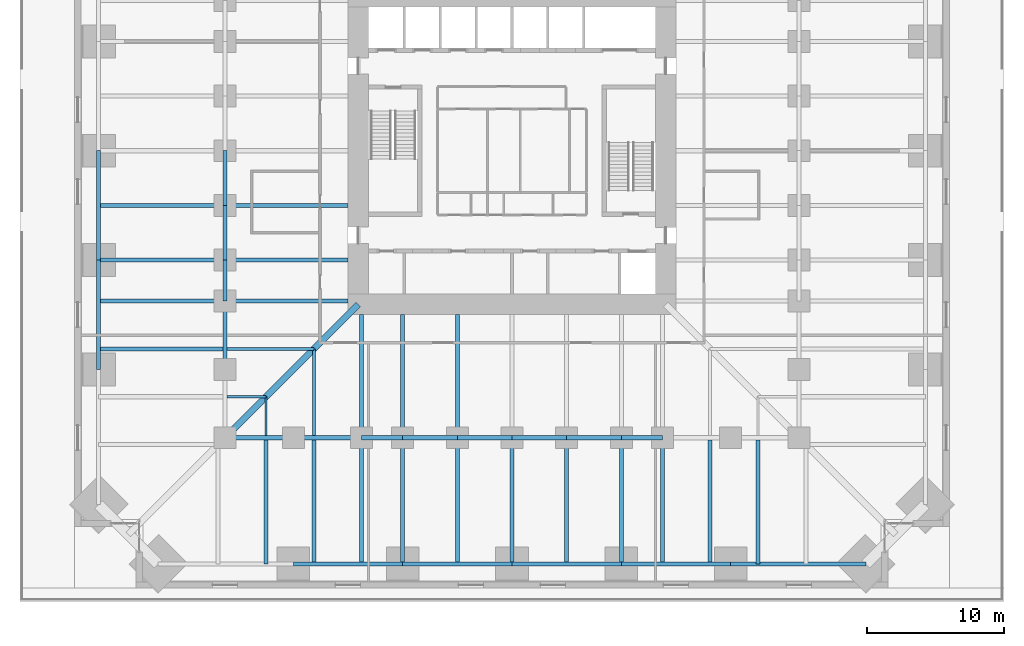
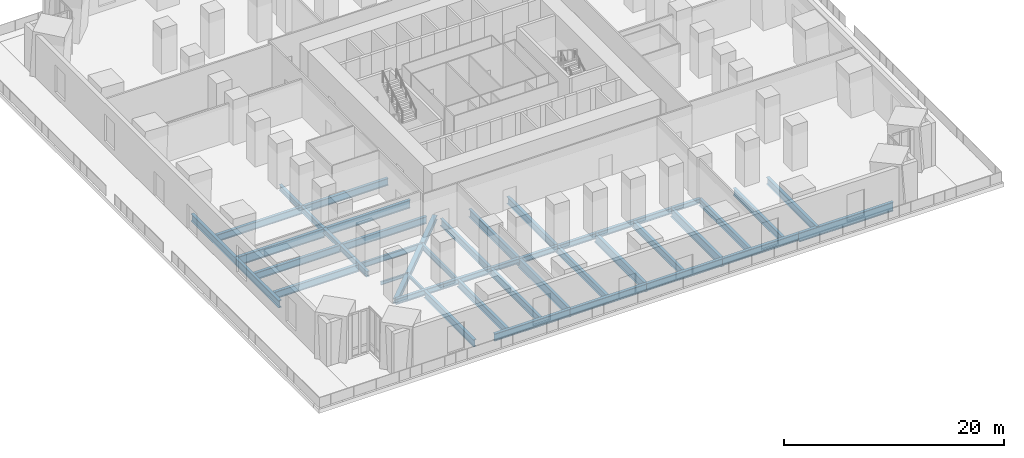
# One storey, part 3 of 26: 45 beams.
"""IFC4 building model written with IfcOpenShell, lengths in metres."""

from ifc_helpers import new_model, si_unit, direction, frame, origin, origin_2d, place, context, subcontext, project, spatial, i_section, extrude, material, material_profile, profile_set, type_object, element, save


model = new_model("IFC4")

# Units and contexts
model_context = context("Model", 3, precision=1e-05, world=origin(), true_north=direction((0.0, 1.0)))
body_context = subcontext(model_context, "Body", "Model", "MODEL_VIEW")
ifc_project = project(units=[si_unit("LENGTHUNIT", "METRE"), si_unit("AREAUNIT", "SQUARE_METRE"), si_unit("VOLUMEUNIT", "CUBIC_METRE"), si_unit("PLANEANGLEUNIT", "RADIAN"), si_unit("MASSUNIT", "GRAM", prefix="KILO")], contexts=[model_context])

# Site, building, storey
site_placement = place(None, origin())
site = spatial("IfcSite", under=ifc_project, at=site_placement, CompositionType="ELEMENT")
building_placement = place(site_placement, origin())
building = spatial("IfcBuilding", under=site, at=building_placement, Name="Peilmerk Tower", CompositionType="ELEMENT")
storey_placement = place(building_placement, frame((0.0, 0.0, 16.0)))
storey = spatial("IfcBuildingStorey", under=building, at=storey_placement, Name="L03", CompositionType="ELEMENT", Elevation=16.0)

# Beams
ifc_material_1 = material(Name="Steel S355", Category="steel")
ifc_material_profile_1 = material_profile(ifc_material_1, i_section(OverallWidth=0.219970703125, OverallDepth=0.60009765625, WebThickness=0.011962890625, FlangeThickness=0.01904296875, at=origin_2d()), Name="IPE 600")
ifc_profile_set_1 = profile_set([ifc_material_profile_1], Name="Steel S355")
beam_type_1 = type_object("IfcBeamType", Name="B10 IPE 600 floor beam", PredefinedType="BEAM", material=ifc_profile_set_1)
for number, where, z_axis, x_axis, name in (
    (1, (-14.5, -14.5, -0.5), (0.0, -1.0, 0.0), (1.0, 0.0, 0.0), "Floor beam L03"),
    (2, (-14.5, -14.5, -0.5), (-1.0, 0.0, 0.0), (0.0, -1.0, 0.0), "Floor beam L03"),
):
    element("IfcBeam", number, at=place(storey_placement, frame(where, z_axis=z_axis, x_axis=x_axis)), inside=storey, type_object=beam_type_1, Name=name, PredefinedType="BEAM", context=body_context, shape_type="SweptSolid", body=[
        extrude(i_section(OverallWidth=0.219970703125, OverallDepth=0.60009765625, WebThickness=0.011962890625, FlangeThickness=0.01904296875, at=origin_2d()), origin(), (0.0, 0.0, 1.0), 6.347412109375),
    ])
ifc_material_profile_2 = material_profile(ifc_material_1, i_section(OverallWidth=0.169921875, OverallDepth=0.360107421875, WebThickness=0.008056640625, FlangeThickness=0.0126953125, at=origin_2d()), Name="IPE 360")
ifc_profile_set_2 = profile_set([ifc_material_profile_2], Name="Steel S355")
beam_type_2 = type_object("IfcBeamType", Name="B11 IPE 360 floor beam", PredefinedType="BEAM", material=ifc_profile_set_2)
for number, where, z_axis, x_axis, name in (
    (3, (-18.0, -18.0, -0.3798828125), (0.0, -1.0, 0.0), (1.0, 0.0, 0.0), "Floor beam L03"),
    (4, (-18.0, -18.0, -0.3798828125), (-1.0, 0.0, 0.0), (0.0, -1.0, 0.0), "Floor beam L03"),
):
    element("IfcBeam", number, at=place(storey_placement, frame(where, z_axis=z_axis, x_axis=x_axis)), inside=storey, type_object=beam_type_2, Name=name, PredefinedType="BEAM", context=body_context, shape_type="SweptSolid", body=[
        extrude(i_section(OverallWidth=0.169921875, OverallDepth=0.360107421875, WebThickness=0.008056640625, FlangeThickness=0.0126953125, at=origin_2d()), origin(), (0.0, 0.0, 1.0), 2.847412109375),
    ])
ifc_material_profile_3 = material_profile(ifc_material_1, i_section(OverallWidth=0.300048828125, OverallDepth=1.0, WebThickness=0.01904296875, FlangeThickness=0.035888671875, at=origin_2d()), Name="HEB 1000")
ifc_profile_set_3 = profile_set([ifc_material_profile_3], Name="Steel S355")
beam_type_3 = type_object("IfcBeamType", Name="B13 HEB 1000 edge beam", PredefinedType="SPANDREL", material=ifc_profile_set_3)
beam_1_placement = place(storey_placement, frame((16.0, -30.251708984375, -0.699951171875), z_axis=(1.0, 0.0, 0.0), x_axis=(0.0, 1.0, 0.0)))
element("IfcBeam", 5, at=beam_1_placement, inside=storey, type_object=beam_type_3, Name="Edge beam L03", PredefinedType="SPANDREL", context=body_context, shape_type="SweptSolid", body=[
    extrude(i_section(OverallWidth=0.300048828125, OverallDepth=1.0, WebThickness=0.01904296875, FlangeThickness=0.035888671875, at=origin_2d()), origin(), (0.0, 0.0, 1.0), 9.901611328125),
])
ifc_material_profile_4 = material_profile(ifc_material_1, i_section(OverallWidth=0.300048828125, OverallDepth=0.989990234375, WebThickness=0.0166015625, FlangeThickness=0.031005859375, at=origin_2d()), Name="HEA 1000")
ifc_profile_set_4 = profile_set([ifc_material_profile_4], Name="Steel S355")
beam_type_4 = type_object("IfcBeamType", Name="B14 HEA 1000 floor girder", PredefinedType="BEAM", material=ifc_profile_set_4)
for number, where, z_axis, x_axis, name in (
    (6, (-8.0, -21.0, -0.695068359375), (0.0, -1.0, 0.0), (1.0, 0.0, 0.0), "Floor girder L03"),
    (7, (0.0, -21.0, -0.695068359375), (0.0, -1.0, 0.0), (1.0, 0.0, 0.0), "Floor girder L03"),
    (8, (8.0, -21.0, -0.695068359375), (0.0, -1.0, 0.0), (1.0, 0.0, 0.0), "Floor girder L03"),
    (9, (-21.0, -8.0, -0.695068359375), (-1.0, 0.0, 0.0), (0.0, -1.0, 0.0), "Floor girder L03"),
):
    element("IfcBeam", number, at=place(storey_placement, frame(where, z_axis=z_axis, x_axis=x_axis)), inside=storey, type_object=beam_type_4, Name=name, PredefinedType="BEAM", context=body_context, shape_type="SweptSolid", body=[
        extrude(i_section(OverallWidth=0.300048828125, OverallDepth=0.989990234375, WebThickness=0.0166015625, FlangeThickness=0.031005859375, at=origin_2d()), origin(), (0.0, 0.0, 1.0), 9.251708984375),
    ])
ifc_material_profile_5 = material_profile(ifc_material_1, i_section(OverallWidth=0.302978515625, OverallDepth=0.81396484375, WebThickness=0.02099609375, FlangeThickness=0.0400390625, at=origin_2d()), Name="HEM 800")
ifc_profile_set_5 = profile_set([ifc_material_profile_5], Name="Steel S355")
beam_type_5 = type_object("IfcBeamType", Name="B15 HEM 800 edge beam", PredefinedType="SPANDREL", material=ifc_profile_set_5)
for number, where, z_axis, x_axis, name in (
    (10, (-16.0, -30.251708984375, -0.60693359375), (1.0, 0.0, 0.0), (0.0, 1.0, 0.0), "Edge beam L03"),
    (11, (-8.0, -30.251708984375, -0.60693359375), (1.0, 0.0, 0.0), (0.0, 1.0, 0.0), "Edge beam L03"),
    (12, (0.0, -30.251708984375, -0.60693359375), (1.0, 0.0, 0.0), (0.0, 1.0, 0.0), "Edge beam L03"),
    (13, (8.0, -30.251708984375, -0.60693359375), (1.0, 0.0, 0.0), (0.0, 1.0, 0.0), "Edge beam L03"),
    (14, (-30.251708984375, 0.0, -0.60693359375), (0.0, -1.0, 0.0), (1.0, 0.0, 0.0), "Edge beam L03"),
    (15, (-30.251708984375, -8.0, -0.60693359375), (0.0, -1.0, 0.0), (1.0, 0.0, 0.0), "Edge beam L03"),
):
    element("IfcBeam", number, at=place(storey_placement, frame(where, z_axis=z_axis, x_axis=x_axis)), inside=storey, type_object=beam_type_5, Name=name, PredefinedType="SPANDREL", context=body_context, shape_type="SweptSolid", body=[
        extrude(i_section(OverallWidth=0.302978515625, OverallDepth=0.81396484375, WebThickness=0.02099609375, FlangeThickness=0.0400390625, at=origin_2d()), origin(), (0.0, 0.0, 1.0), 8.0),
    ])
ifc_material_profile_6 = material_profile(ifc_material_1, i_section(OverallWidth=0.300048828125, OverallDepth=0.7900390625, WebThickness=0.014892578125, FlangeThickness=0.028076171875, at=origin_2d()), Name="HEA 800")
ifc_profile_set_6 = profile_set([ifc_material_profile_6], Name="Steel S355")
beam_type_6 = type_object("IfcBeamType", Name="B3 HEA 800 floor beam", PredefinedType="BEAM", material=ifc_profile_set_6)
beam_2_placement = place(storey_placement, frame((-11.0, -12.0, -0.594970703125), z_axis=(0.0, -1.0, 0.0), x_axis=(1.0, 0.0, 0.0)))
element("IfcBeam", 16, at=beam_2_placement, inside=storey, type_object=beam_type_6, Name="Floor beam L03", PredefinedType="BEAM", context=body_context, shape_type="SweptSolid", body=[
    extrude(i_section(OverallWidth=0.300048828125, OverallDepth=0.7900390625, WebThickness=0.014892578125, FlangeThickness=0.028076171875, at=origin_2d()), origin(), (0.0, 0.0, 1.0), 9.0),
])
beam_3_placement = place(storey_placement, frame((-11.0, -21.0, -0.594970703125), z_axis=(0.0, -1.0, 0.0), x_axis=(1.0, 0.0, 0.0)))
element("IfcBeam", 17, at=beam_3_placement, inside=storey, type_object=beam_type_6, Name="Floor beam L03", PredefinedType="BEAM", context=body_context, shape_type="SweptSolid", body=[
    extrude(i_section(OverallWidth=0.300048828125, OverallDepth=0.7900390625, WebThickness=0.014892578125, FlangeThickness=0.028076171875, at=origin_2d()), origin(), (0.0, 0.0, 1.0), 9.251708984375),
])
beam_4_placement = place(storey_placement, frame((-4.0, -12.0, -0.594970703125), z_axis=(0.0, -1.0, 0.0), x_axis=(1.0, 0.0, 0.0)))
element("IfcBeam", 18, at=beam_4_placement, inside=storey, type_object=beam_type_6, Name="Floor beam L03", PredefinedType="BEAM", context=body_context, shape_type="SweptSolid", body=[
    extrude(i_section(OverallWidth=0.300048828125, OverallDepth=0.7900390625, WebThickness=0.014892578125, FlangeThickness=0.028076171875, at=origin_2d()), origin(), (0.0, 0.0, 1.0), 9.0),
])
for number, where, z_axis, x_axis, name in (
    (19, (-4.0, -21.0, -0.594970703125), (0.0, -1.0, 0.0), (1.0, 0.0, 0.0), "Floor beam L03"),
    (20, (4.0, -21.0, -0.594970703125), (0.0, -1.0, 0.0), (1.0, 0.0, 0.0), "Floor beam L03"),
    (21, (11.0, -21.0, -0.594970703125), (0.0, -1.0, 0.0), (1.0, 0.0, 0.0), "Floor beam L03"),
):
    element("IfcBeam", number, at=place(storey_placement, frame(where, z_axis=z_axis, x_axis=x_axis)), inside=storey, type_object=beam_type_6, Name=name, PredefinedType="BEAM", context=body_context, shape_type="SweptSolid", body=[
        extrude(i_section(OverallWidth=0.300048828125, OverallDepth=0.7900390625, WebThickness=0.014892578125, FlangeThickness=0.028076171875, at=origin_2d()), origin(), (0.0, 0.0, 1.0), 9.251708984375),
    ])
beam_5_placement = place(storey_placement, frame((-12.0, -4.0, -0.594970703125), z_axis=(-1.0, 0.0, 0.0), x_axis=(0.0, -1.0, 0.0)))
element("IfcBeam", 22, at=beam_5_placement, inside=storey, type_object=beam_type_6, Name="Floor beam L03", PredefinedType="BEAM", context=body_context, shape_type="SweptSolid", body=[
    extrude(i_section(OverallWidth=0.300048828125, OverallDepth=0.7900390625, WebThickness=0.014892578125, FlangeThickness=0.028076171875, at=origin_2d()), origin(), (0.0, 0.0, 1.0), 9.0),
])
beam_6_placement = place(storey_placement, frame((-21.0, -4.0, -0.594970703125), z_axis=(-1.0, 0.0, 0.0), x_axis=(0.0, -1.0, 0.0)))
element("IfcBeam", 23, at=beam_6_placement, inside=storey, type_object=beam_type_6, Name="Floor beam L03", PredefinedType="BEAM", context=body_context, shape_type="SweptSolid", body=[
    extrude(i_section(OverallWidth=0.300048828125, OverallDepth=0.7900390625, WebThickness=0.014892578125, FlangeThickness=0.028076171875, at=origin_2d()), origin(), (0.0, 0.0, 1.0), 9.251708984375),
])
beam_7_placement = place(storey_placement, frame((-12.0, -11.0, -0.594970703125), z_axis=(-1.0, 0.0, 0.0), x_axis=(0.0, -1.0, 0.0)))
element("IfcBeam", 24, at=beam_7_placement, inside=storey, type_object=beam_type_6, Name="Floor beam L03", PredefinedType="BEAM", context=body_context, shape_type="SweptSolid", body=[
    extrude(i_section(OverallWidth=0.300048828125, OverallDepth=0.7900390625, WebThickness=0.014892578125, FlangeThickness=0.028076171875, at=origin_2d()), origin(), (0.0, 0.0, 1.0), 9.0),
])
beam_8_placement = place(storey_placement, frame((-21.0, -11.0, -0.594970703125), z_axis=(-1.0, 0.0, 0.0), x_axis=(0.0, -1.0, 0.0)))
element("IfcBeam", 25, at=beam_8_placement, inside=storey, type_object=beam_type_6, Name="Floor beam L03", PredefinedType="BEAM", context=body_context, shape_type="SweptSolid", body=[
    extrude(i_section(OverallWidth=0.300048828125, OverallDepth=0.7900390625, WebThickness=0.014892578125, FlangeThickness=0.028076171875, at=origin_2d()), origin(), (0.0, 0.0, 1.0), 9.251708984375),
])
for number, where, z_axis, x_axis, name in (
    (26, (14.5, -21.152587890625, -0.594970703125), (0.0, -1.0, 0.0), (1.0, 0.0, 0.0), "Floor beam L03"),
    (27, (18.0, -21.152587890625, -0.594970703125), (0.0, -1.0, 0.0), (1.0, 0.0, 0.0), "Floor beam L03"),
    (28, (-14.5, -21.152587890625, -0.594970703125), (0.0, -1.0, 0.0), (1.0, 0.0, 0.0), "Floor beam L03"),
    (29, (-21.152587890625, -14.5, -0.594970703125), (-1.0, 0.0, 0.0), (0.0, -1.0, 0.0), "Floor beam L03"),
    (30, (-18.0, -21.152587890625, -0.594970703125), (0.0, -1.0, 0.0), (1.0, 0.0, 0.0), "Floor beam L03"),
):
    element("IfcBeam", number, at=place(storey_placement, frame(where, z_axis=z_axis, x_axis=x_axis)), inside=storey, type_object=beam_type_6, Name=name, PredefinedType="BEAM", context=body_context, shape_type="SweptSolid", body=[
        extrude(i_section(OverallWidth=0.300048828125, OverallDepth=0.7900390625, WebThickness=0.014892578125, FlangeThickness=0.028076171875, at=origin_2d()), origin(), (0.0, 0.0, 1.0), 9.09912109375),
    ])
ifc_material_profile_7 = material_profile(ifc_material_1, i_section(OverallWidth=0.300048828125, OverallDepth=0.889892578125, WebThickness=0.01611328125, FlangeThickness=0.030029296875, at=origin_2d()), Name="HEA 900")
ifc_profile_set_7 = profile_set([ifc_material_profile_7], Name="Steel S355")
beam_type_7 = type_object("IfcBeamType", Name="B4 HEA 900 floor beam", PredefinedType="BEAM", material=ifc_profile_set_7)
for number, where, z_axis, x_axis, name in (
    (31, (-8.0, -12.0, -0.64501953125), (0.0, -1.0, 0.0), (1.0, 0.0, 0.0), "Floor girder L03"),
    (32, (-12.0, -8.0, -0.64501953125), (-1.0, 0.0, 0.0), (0.0, -1.0, 0.0), "Floor girder L03"),
):
    element("IfcBeam", number, at=place(storey_placement, frame(where, z_axis=z_axis, x_axis=x_axis)), inside=storey, type_object=beam_type_7, Name=name, PredefinedType="BEAM", context=body_context, shape_type="SweptSolid", body=[
        extrude(i_section(OverallWidth=0.300048828125, OverallDepth=0.889892578125, WebThickness=0.01611328125, FlangeThickness=0.030029296875, at=origin_2d()), origin(), (0.0, 0.0, 1.0), 9.0),
    ])
ifc_material_profile_8 = material_profile(ifc_material_1, i_section(OverallWidth=0.304931640625, OverallDepth=0.6201171875, WebThickness=0.02099609375, FlangeThickness=0.0400390625, at=origin_2d()), Name="HEM 600")
ifc_profile_set_8 = profile_set([ifc_material_profile_8], Name="Steel S355")
beam_type_8 = type_object("IfcBeamType", Name="B6 HEM 600 ring girder", PredefinedType="BEAM", material=ifc_profile_set_8)
for number, where, z_axis, x_axis, name in (
    (33, (-21.0, -21.0, -0.510009765625), (1.0, 0.0, 0.0), (0.0, 1.0, 0.0), "Ring girder L03"),
    (34, (-16.0, -21.0, -0.510009765625), (1.0, 0.0, 0.0), (0.0, 1.0, 0.0), "Ring girder L03"),
):
    element("IfcBeam", number, at=place(storey_placement, frame(where, z_axis=z_axis, x_axis=x_axis)), inside=storey, type_object=beam_type_8, Name=name, PredefinedType="BEAM", context=body_context, shape_type="SweptSolid", body=[
        extrude(i_section(OverallWidth=0.304931640625, OverallDepth=0.6201171875, WebThickness=0.02099609375, FlangeThickness=0.0400390625, at=origin_2d()), origin(), (0.0, 0.0, 1.0), 5.0),
    ])
for number, where, z_axis, x_axis, name in (
    (35, (-8.0, -21.0, -0.510009765625), (1.0, 0.0, 0.0), (0.0, 1.0, 0.0), "Ring girder L03"),
    (36, (-4.0, -21.0, -0.510009765625), (1.0, 0.0, 0.0), (0.0, 1.0, 0.0), "Ring girder L03"),
    (37, (0.0, -21.0, -0.510009765625), (1.0, 0.0, 0.0), (0.0, 1.0, 0.0), "Ring girder L03"),
    (38, (4.0, -21.0, -0.510009765625), (1.0, 0.0, 0.0), (0.0, 1.0, 0.0), "Ring girder L03"),
    (39, (-21.0, 0.0, -0.510009765625), (0.0, -1.0, 0.0), (1.0, 0.0, 0.0), "Ring girder L03"),
    (40, (-21.0, -4.0, -0.510009765625), (0.0, -1.0, 0.0), (1.0, 0.0, 0.0), "Ring girder L03"),
):
    element("IfcBeam", number, at=place(storey_placement, frame(where, z_axis=z_axis, x_axis=x_axis)), inside=storey, type_object=beam_type_8, Name=name, PredefinedType="BEAM", context=body_context, shape_type="SweptSolid", body=[
        extrude(i_section(OverallWidth=0.304931640625, OverallDepth=0.6201171875, WebThickness=0.02099609375, FlangeThickness=0.0400390625, at=origin_2d()), origin(), (0.0, 0.0, 1.0), 4.0),
    ])
beam_9_placement = place(storey_placement, frame((-21.0, -11.0, -0.510009765625), z_axis=(0.0, -1.0, 0.0), x_axis=(1.0, 0.0, 0.0)))
element("IfcBeam", 41, at=beam_9_placement, inside=storey, type_object=beam_type_8, Name="Ring girder L03", PredefinedType="BEAM", context=body_context, shape_type="SweptSolid", body=[
    extrude(i_section(OverallWidth=0.304931640625, OverallDepth=0.6201171875, WebThickness=0.02099609375, FlangeThickness=0.0400390625, at=origin_2d()), origin(), (0.0, 0.0, 1.0), 5.0),
])
ifc_material_profile_9 = material_profile(ifc_material_1, i_section(OverallWidth=0.305908203125, OverallDepth=0.52392578125, WebThickness=0.02099609375, FlangeThickness=0.0400390625, at=origin_2d()), Name="HEM 500")
ifc_profile_set_9 = profile_set([ifc_material_profile_9], Name="Steel S355")
beam_type_9 = type_object("IfcBeamType", Name="B7 HEM 500 ring girder", PredefinedType="BEAM", material=ifc_profile_set_9)
for number, where, z_axis, x_axis, name in (
    (42, (-11.0, -21.0, -0.4619140625), (1.0, 0.0, 0.0), (0.0, 1.0, 0.0), "Ring girder L03"),
    (43, (8.0, -21.0, -0.4619140625), (1.0, 0.0, 0.0), (0.0, 1.0, 0.0), "Ring girder L03"),
    (44, (-21.0, -8.0, -0.4619140625), (0.0, -1.0, 0.0), (1.0, 0.0, 0.0), "Ring girder L03"),
):
    element("IfcBeam", number, at=place(storey_placement, frame(where, z_axis=z_axis, x_axis=x_axis)), inside=storey, type_object=beam_type_9, Name=name, PredefinedType="BEAM", context=body_context, shape_type="SweptSolid", body=[
        extrude(i_section(OverallWidth=0.305908203125, OverallDepth=0.52392578125, WebThickness=0.02099609375, FlangeThickness=0.0400390625, at=origin_2d()), origin(), (0.0, 0.0, 1.0), 3.0),
    ])
ifc_material_2 = material(Name="Steel S460", Category="steel")
ifc_material_profile_10 = material_profile(ifc_material_2, i_section(OverallWidth=0.4541015625, OverallDepth=0.569091796875, WebThickness=0.077880859375, FlangeThickness=0.125, at=origin_2d()), Name="HD 400x1086")
ifc_profile_set_10 = profile_set([ifc_material_profile_10], Name="Steel S460")
beam_type_10 = type_object("IfcBeamType", Name="B9 HD 400x1086 corner girder", PredefinedType="BEAM", material=ifc_profile_set_10)
beam_10_placement = place(storey_placement, frame((-11.25, -11.25, -0.484619140625), z_axis=(-0.707106781187, -0.707106781187, 0.0), x_axis=(0.707106781187, -0.707106781187, 0.0)))
element("IfcBeam", 45, at=beam_10_placement, inside=storey, type_object=beam_type_10, Name="Corner girder L03", PredefinedType="BEAM", context=body_context, shape_type="SweptSolid", body=[
    extrude(i_section(OverallWidth=0.4541015625, OverallDepth=0.569091796875, WebThickness=0.077880859375, FlangeThickness=0.125, at=origin_2d()), origin(), (0.0, 0.0, 1.0), 13.78857421875),
])

save(model, "model.ifc")
